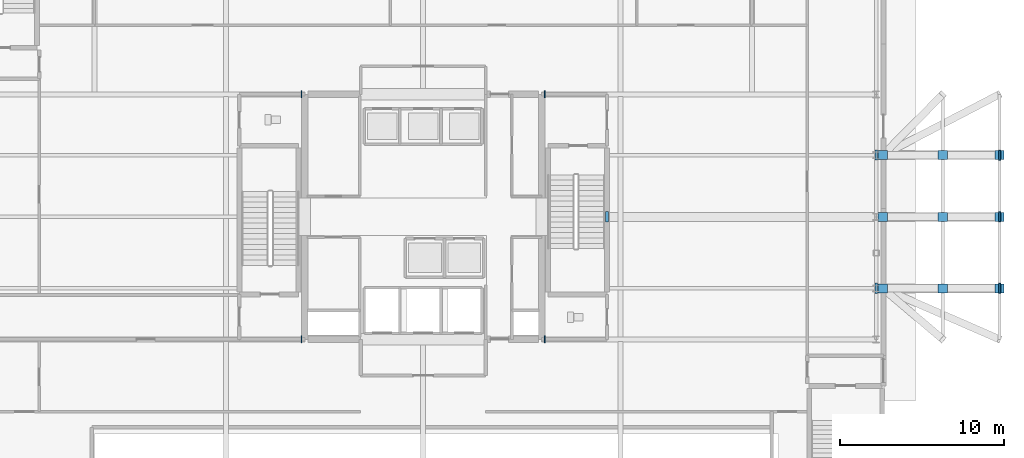
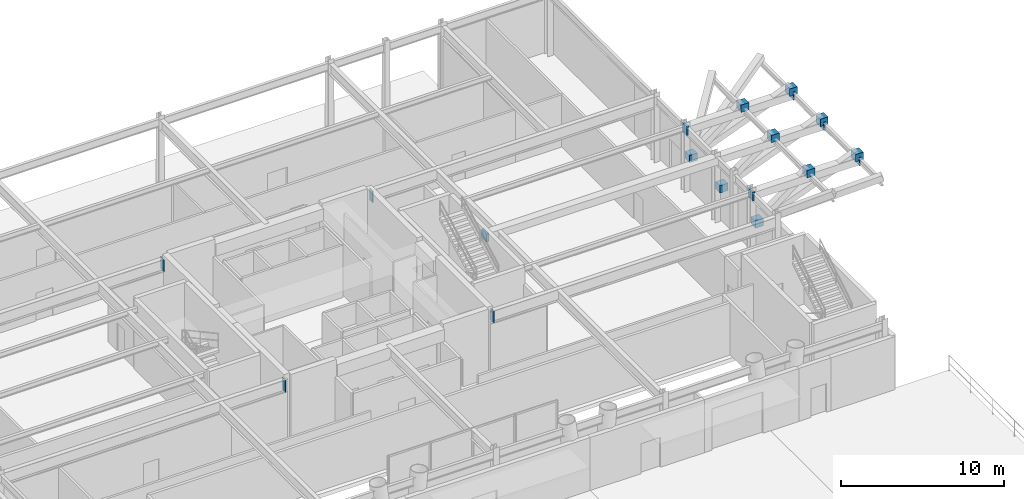
# One storey, part 10 of 19: 19 plates.
"""IFC4 building model written with IfcOpenShell, lengths in metres."""

from ifc_helpers import new_model, si_unit, direction, frame, origin, origin_2d, place, context, subcontext, project, spatial, rectangle, extrude, material, layer, layer_set, type_object, element, save


model = new_model("IFC4")

# Units and contexts
model_context = context("Model", 3, precision=1e-05, world=origin(), true_north=direction((0.0, 1.0)))
body_context = subcontext(model_context, "Body", "Model", "MODEL_VIEW")
ifc_project = project(units=[si_unit("LENGTHUNIT", "METRE"), si_unit("AREAUNIT", "SQUARE_METRE"), si_unit("VOLUMEUNIT", "CUBIC_METRE"), si_unit("PLANEANGLEUNIT", "RADIAN"), si_unit("MASSUNIT", "GRAM", prefix="KILO")], contexts=[model_context])

# Site, building, storey
site_placement = place(None, origin())
site = spatial("IfcSite", under=ifc_project, at=site_placement, CompositionType="ELEMENT")
building_placement = place(site_placement, origin())
building = spatial("IfcBuilding", under=site, at=building_placement, Name="Veldorina Hangang Commons", CompositionType="ELEMENT")
storey_placement = place(building_placement, origin())
storey = spatial("IfcBuildingStorey", under=building, at=storey_placement, Name="L00", CompositionType="ELEMENT", Elevation=0.0)

# Plates
ifc_material = material(Name="Steel SM490-TMC", Category="steel")
ifc_layer = layer(ifc_material, 0.044921875)
ifc_layer_set = layer_set([ifc_layer], Name="Steel SM490-TMC")
plate_type = type_object("IfcPlateType", Name="PL-NODE-45", PredefinedType="SHEET", material=ifc_layer_set)
for number, where, z_axis, x_axis, name in (
    (1, (24.60009765625, 16.550048828125, 4.010009765625), (0.0, 0.0, 1.0), (1.0, 0.0, 0.0), "L00 west collector girder GD core embed plate"),
    (2, (39.39990234375, 16.550048828125, 4.010009765625), (0.0, 0.0, 1.0), (1.0, 0.0, 0.0), "L00 east collector girder GD core embed plate"),
    (3, (24.60009765625, 31.449951171875, 4.010009765625), (0.0, 0.0, 1.0), (1.0, 0.0, 0.0), "L00 west collector girder GF core embed plate"),
    (4, (39.39990234375, 31.449951171875, 4.010009765625), (0.0, 0.0, 1.0), (1.0, 0.0, 0.0), "L00 east collector girder GF core embed plate"),
):
    element("IfcPlate", number, at=place(storey_placement, frame(where, z_axis=z_axis, x_axis=x_axis)), inside=storey, type_object=plate_type, Name=name, PredefinedType="SHEET", context=body_context, shape_type="SweptSolid", body=[
        extrude(rectangle(XDim=0.044921875, YDim=0.419921875, at=origin_2d()), origin(), (0.0, 0.0, 1.0), 0.8798828125),
    ])
plate_1_placement = place(storey_placement, frame((59.550048828125, 19.64990234375, 4.31494140625), z_axis=(0.0, 0.0, 1.0), x_axis=(1.0, 0.0, 0.0)))
element("IfcPlate", 5, at=plate_1_placement, inside=storey, type_object=plate_type, Name="L00 lounge girder S root cap", PredefinedType="SHEET", context=body_context, shape_type="SweptSolid", body=[
    extrude(rectangle(XDim=0.159912109375, YDim=0.6201171875, at=origin_2d()), origin(), (0.0, 0.0, 1.0), 0.6201171875),
])
plate_2_placement = place(storey_placement, frame((67.080078125, 19.64990234375, 4.31494140625), z_axis=(0.0, 0.0, 1.0), x_axis=(1.0, 0.0, 0.0)))
element("IfcPlate", 6, at=plate_2_placement, inside=storey, type_object=plate_type, Name="L00 lounge girder S tip end-cap plate", PredefinedType="SHEET", context=body_context, shape_type="SweptSolid", body=[
    extrude(rectangle(XDim=0.1201171875, YDim=0.6201171875, at=origin_2d()), origin(), (0.0, 0.0, 1.0), 0.6201171875),
])
for number, where, z_axis, x_axis, name in (
    (7, (59.949951171875, 19.64990234375, 2.1748046875), (0.0, 0.0, 1.0), (1.0, 0.0, 0.0), "L00 strut S base gusset"),
    (8, (63.60009765625, 19.64990234375, 4.6748046875), (0.0, 0.0, 1.0), (1.0, 0.0, 0.0), "L00 strut S-P1 top gusset"),
    (9, (67.050048828125, 19.64990234375, 4.6748046875), (0.0, 0.0, 1.0), (1.0, 0.0, 0.0), "L00 strut S-P2 top gusset"),
):
    element("IfcPlate", number, at=place(storey_placement, frame(where, z_axis=z_axis, x_axis=x_axis)), inside=storey, type_object=plate_type, Name=name, PredefinedType="SHEET", context=body_context, shape_type="SweptSolid", body=[
        extrude(rectangle(XDim=0.550048828125, YDim=0.550048828125, at=origin_2d()), origin(), (0.0, 0.0, 1.0), 0.550048828125),
    ])
plate_3_placement = place(storey_placement, frame((43.179931640625, 24.0, 4.31494140625), z_axis=(0.0, 0.0, 1.0), x_axis=(1.0, 0.0, 0.0)))
element("IfcPlate", 10, at=plate_3_placement, inside=storey, type_object=plate_type, Name="L00 lounge backspan inner end cap", PredefinedType="SHEET", context=body_context, shape_type="SweptSolid", body=[
    extrude(rectangle(XDim=0.159912109375, YDim=0.6201171875, at=origin_2d()), origin(), (0.0, 0.0, 1.0), 0.6201171875),
])
plate_4_placement = place(storey_placement, frame((67.080078125, 24.0, 4.31494140625), z_axis=(0.0, 0.0, 1.0), x_axis=(1.0, 0.0, 0.0)))
element("IfcPlate", 11, at=plate_4_placement, inside=storey, type_object=plate_type, Name="L00 lounge girder M tip end-cap plate", PredefinedType="SHEET", context=body_context, shape_type="SweptSolid", body=[
    extrude(rectangle(XDim=0.1201171875, YDim=0.6201171875, at=origin_2d()), origin(), (0.0, 0.0, 1.0), 0.6201171875),
])
for number, where, z_axis, x_axis, name in (
    (12, (59.949951171875, 24.0, 2.1748046875), (0.0, 0.0, 1.0), (1.0, 0.0, 0.0), "L00 strut M base gusset"),
    (13, (63.60009765625, 24.0, 4.6748046875), (0.0, 0.0, 1.0), (1.0, 0.0, 0.0), "L00 strut M-P1 top gusset"),
    (14, (67.050048828125, 24.0, 4.6748046875), (0.0, 0.0, 1.0), (1.0, 0.0, 0.0), "L00 strut M-P2 top gusset"),
):
    element("IfcPlate", number, at=place(storey_placement, frame(where, z_axis=z_axis, x_axis=x_axis)), inside=storey, type_object=plate_type, Name=name, PredefinedType="SHEET", context=body_context, shape_type="SweptSolid", body=[
        extrude(rectangle(XDim=0.550048828125, YDim=0.550048828125, at=origin_2d()), origin(), (0.0, 0.0, 1.0), 0.550048828125),
    ])
plate_5_placement = place(storey_placement, frame((59.550048828125, 27.75, 4.31494140625), z_axis=(0.0, 0.0, 1.0), x_axis=(1.0, 0.0, 0.0)))
element("IfcPlate", 15, at=plate_5_placement, inside=storey, type_object=plate_type, Name="L00 lounge girder N root cap", PredefinedType="SHEET", context=body_context, shape_type="SweptSolid", body=[
    extrude(rectangle(XDim=0.159912109375, YDim=0.6201171875, at=origin_2d()), origin(), (0.0, 0.0, 1.0), 0.6201171875),
])
plate_6_placement = place(storey_placement, frame((67.080078125, 27.75, 4.31494140625), z_axis=(0.0, 0.0, 1.0), x_axis=(1.0, 0.0, 0.0)))
element("IfcPlate", 16, at=plate_6_placement, inside=storey, type_object=plate_type, Name="L00 lounge girder N tip end-cap plate", PredefinedType="SHEET", context=body_context, shape_type="SweptSolid", body=[
    extrude(rectangle(XDim=0.1201171875, YDim=0.6201171875, at=origin_2d()), origin(), (0.0, 0.0, 1.0), 0.6201171875),
])
for number, where, z_axis, x_axis, name in (
    (17, (59.949951171875, 27.75, 2.1748046875), (0.0, 0.0, 1.0), (1.0, 0.0, 0.0), "L00 strut N base gusset"),
    (18, (63.60009765625, 27.75, 4.6748046875), (0.0, 0.0, 1.0), (1.0, 0.0, 0.0), "L00 strut N-P1 top gusset"),
    (19, (67.050048828125, 27.75, 4.6748046875), (0.0, 0.0, 1.0), (1.0, 0.0, 0.0), "L00 strut N-P2 top gusset"),
):
    element("IfcPlate", number, at=place(storey_placement, frame(where, z_axis=z_axis, x_axis=x_axis)), inside=storey, type_object=plate_type, Name=name, PredefinedType="SHEET", context=body_context, shape_type="SweptSolid", body=[
        extrude(rectangle(XDim=0.550048828125, YDim=0.550048828125, at=origin_2d()), origin(), (0.0, 0.0, 1.0), 0.550048828125),
    ])

save(model, "model.ifc")
